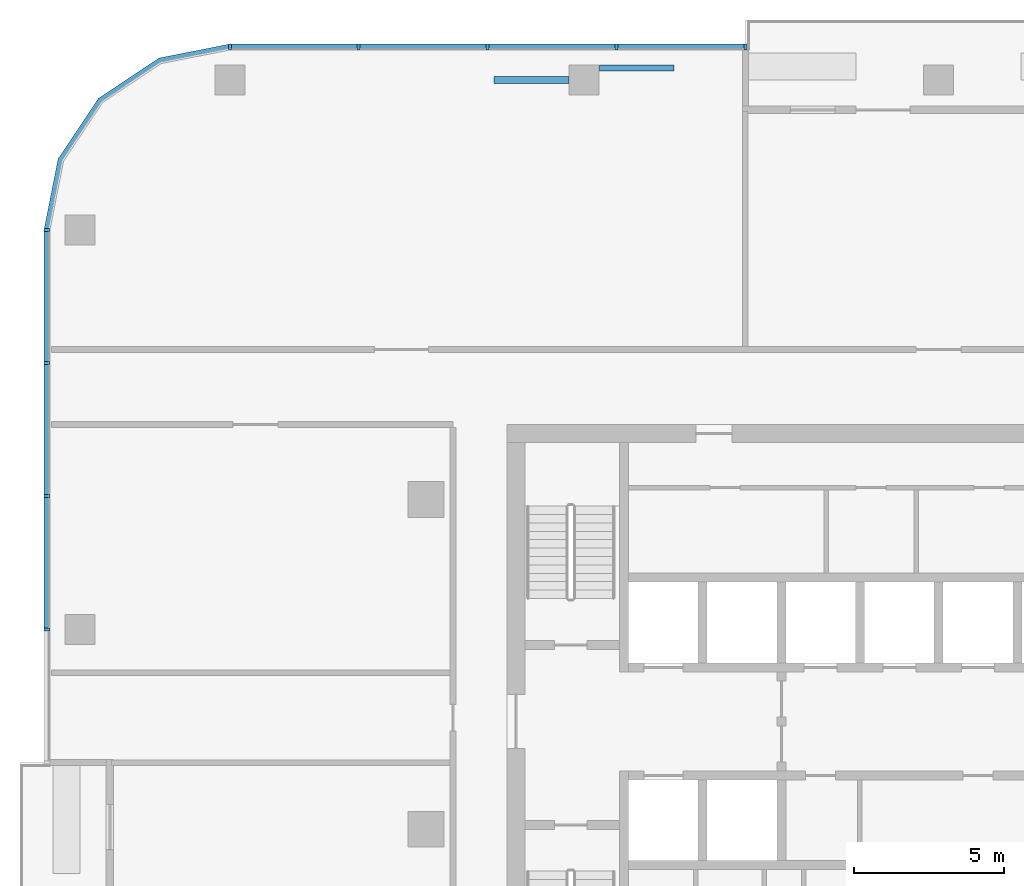
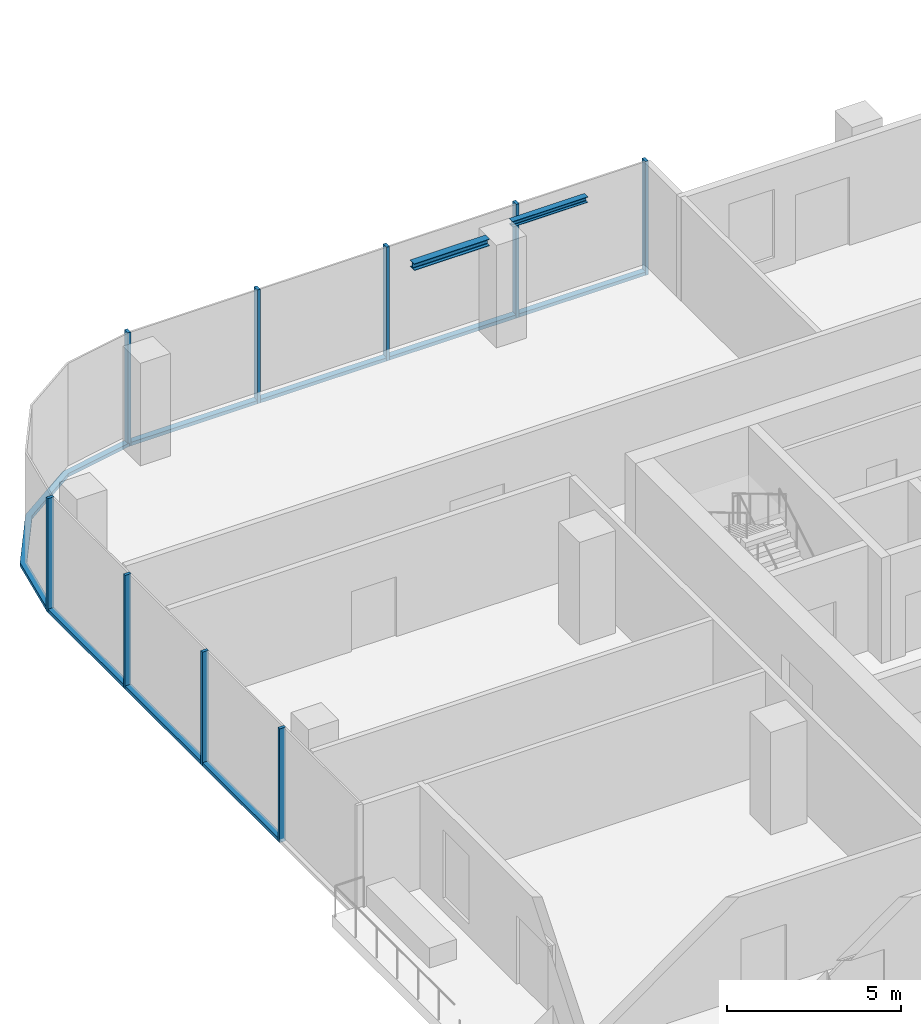
# One storey, part 4 of 13: 17 members, 2 beams, 3 elements without a shape of their own.
"""IFC4 building model written with IfcOpenShell, lengths in metres."""

from ifc_helpers import new_model, si_unit, direction, frame, origin, origin_2d, place, context, subcontext, project, spatial, polyline, rectangle, i_section, outline, extrude, material, material_profile, profile_set, type_object, element, aggregate, save


model = new_model("IFC4")

# Units and contexts
model_context = context("Model", 3, precision=1e-05, world=origin(), true_north=direction((0.0, 1.0)))
body_context = subcontext(model_context, "Body", "Model", "MODEL_VIEW")
ifc_project = project(units=[si_unit("LENGTHUNIT", "METRE"), si_unit("AREAUNIT", "SQUARE_METRE"), si_unit("VOLUMEUNIT", "CUBIC_METRE"), si_unit("PLANEANGLEUNIT", "RADIAN"), si_unit("MASSUNIT", "GRAM", prefix="KILO")], contexts=[model_context])

# Site, building, storey
site_placement = place(None, origin())
site = spatial("IfcSite", under=ifc_project, at=site_placement, CompositionType="ELEMENT")
building_placement = place(site_placement, origin())
building = spatial("IfcBuilding", under=site, at=building_placement, Name="Mopane Tessera Tower", CompositionType="ELEMENT")
storey_placement = place(building_placement, frame((0.0, 0.0, 287.39990234375)))
storey = spatial("IfcBuildingStorey", under=building, at=storey_placement, Name="L62", CompositionType="ELEMENT", Elevation=287.39990234375)

# Curtain wall, members
ifc_material_1 = material(Name="Aluminium frame", Category="aluminium")
curtain_wall_type = type_object("IfcCurtainWallType", Name="Unitised curtain wall", PredefinedType="NOTDEFINED", material=ifc_material_1)
curtain_wall_1_placement = place(storey_placement, origin())
curtain_wall_1 = element("IfcCurtainWall", 1, at=curtain_wall_1_placement, inside=storey, type_object=curtain_wall_type, Name="e:cw:L62:N:7", PredefinedType="NOTDEFINED")
ifc_material_2 = material(Name="Aluminium frame", Category="aluminium")
ifc_material_profile_1 = material_profile(ifc_material_2, rectangle(XDim=0.10009765625, YDim=0.199951171875, at=origin_2d()))
ifc_profile_set_1 = profile_set([ifc_material_profile_1], Name="Aluminium frame")
member_type_1 = type_object("IfcMemberType", Name="Aluminium mullion 100 x 200", PredefinedType="MULLION", material=ifc_profile_set_1)
member_1_placement = place(storey_placement, frame((-6.449951171875, 26.10009765625, -0.39990234375), z_axis=(0.0, 0.0, 1.0), x_axis=(-1.0, 0.0, 0.0)))
member_1 = element("IfcMember", 2, at=member_1_placement, type_object=member_type_1, Name="e:cw:L62:N:7:mu7", PredefinedType="MULLION", context=body_context, shape_type="SweptSolid", body=[
    extrude(rectangle(XDim=0.10009765625, YDim=0.199951171875, at=origin_2d()), origin(), (0.0, 0.0, 1.0), 4.0),
])
member_2_placement = place(storey_placement, frame((-10.75, 26.10009765625, -0.39990234375), z_axis=(0.0, 0.0, 1.0), x_axis=(-1.0, 0.0, 0.0)))
member_2 = element("IfcMember", 3, at=member_2_placement, type_object=member_type_1, Name="e:cw:L62:N:7:mu8", PredefinedType="MULLION", context=body_context, shape_type="SweptSolid", body=[
    extrude(rectangle(XDim=0.10009765625, YDim=0.199951171875, at=origin_2d()), origin(), (0.0, 0.0, 1.0), 4.0),
])
member_3_placement = place(storey_placement, frame((-15.050048828125, 26.10009765625, -0.39990234375), z_axis=(0.0, 0.0, 1.0), x_axis=(-1.0, 0.0, 0.0)))
member_3 = element("IfcMember", 4, at=member_3_placement, type_object=member_type_1, Name="e:cw:L62:N:7:mu9", PredefinedType="MULLION", context=body_context, shape_type="SweptSolid", body=[
    extrude(rectangle(XDim=0.10009765625, YDim=0.199951171875, at=origin_2d()), origin(), (0.0, 0.0, 1.0), 4.0),
])
member_4_placement = place(storey_placement, frame((-19.35009765625, 26.10009765625, -0.39990234375), z_axis=(0.0, 0.0, 1.0), x_axis=(-1.0, 0.0, 0.0)))
member_4 = element("IfcMember", 5, at=member_4_placement, type_object=member_type_1, Name="e:cw:L62:N:7:mu10", PredefinedType="MULLION", context=body_context, shape_type="SweptSolid", body=[
    extrude(rectangle(XDim=0.10009765625, YDim=0.199951171875, at=origin_2d()), origin(), (0.0, 0.0, 1.0), 4.0),
])
member_5_placement = place(storey_placement, frame((-23.64990234375, 26.10009765625, -0.39990234375), z_axis=(0.0, 0.0, 1.0), x_axis=(-1.0, 0.0, 0.0)))
member_5 = element("IfcMember", 6, at=member_5_placement, type_object=member_type_1, Name="e:cw:L62:N:7:mu11", PredefinedType="MULLION", context=body_context, shape_type="SweptSolid", body=[
    extrude(rectangle(XDim=0.10009765625, YDim=0.199951171875, at=origin_2d()), origin(), (0.0, 0.0, 1.0), 4.0),
])

curtain_wall_2_placement = place(storey_placement, origin())
curtain_wall_2 = element("IfcCurtainWall", 7, at=curtain_wall_2_placement, inside=storey, type_object=curtain_wall_type, Name="e:cw:L62:W:0", PredefinedType="NOTDEFINED")
member_6_placement = place(storey_placement, frame((-29.75, 20.0, -0.39990234375), z_axis=(0.0, 0.0, 1.0), x_axis=(0.0, -1.0, 0.0)))
member_6 = element("IfcMember", 8, at=member_6_placement, type_object=member_type_1, Name="e:cw:L62:W:0:mu0", PredefinedType="MULLION", context=body_context, shape_type="SweptSolid", body=[
    extrude(rectangle(XDim=0.10009765625, YDim=0.199951171875, at=origin_2d()), origin(), (0.0, 0.0, 1.0), 4.0),
])
member_7_placement = place(storey_placement, frame((-29.75, 15.5556640625, -0.39990234375), z_axis=(0.0, 0.0, 1.0), x_axis=(0.0, -1.0, 0.0)))
member_7 = element("IfcMember", 9, at=member_7_placement, type_object=member_type_1, Name="e:cw:L62:W:0:mu1", PredefinedType="MULLION", context=body_context, shape_type="SweptSolid", body=[
    extrude(rectangle(XDim=0.10009765625, YDim=0.199951171875, at=origin_2d()), origin(), (0.0, 0.0, 1.0), 4.0),
])
member_8_placement = place(storey_placement, frame((-29.75, 11.111083984375, -0.39990234375), z_axis=(0.0, 0.0, 1.0), x_axis=(0.0, -1.0, 0.0)))
member_8 = element("IfcMember", 10, at=member_8_placement, type_object=member_type_1, Name="e:cw:L62:W:0:mu2", PredefinedType="MULLION", context=body_context, shape_type="SweptSolid", body=[
    extrude(rectangle(XDim=0.10009765625, YDim=0.199951171875, at=origin_2d()), origin(), (0.0, 0.0, 1.0), 4.0),
])
member_9_placement = place(storey_placement, frame((-29.75, 6.666748046875, -0.39990234375), z_axis=(0.0, 0.0, 1.0), x_axis=(0.0, -1.0, 0.0)))
member_9 = element("IfcMember", 11, at=member_9_placement, type_object=member_type_1, Name="e:cw:L62:W:0:mu3", PredefinedType="MULLION", context=body_context, shape_type="SweptSolid", body=[
    extrude(rectangle(XDim=0.10009765625, YDim=0.199951171875, at=origin_2d()), origin(), (0.0, 0.0, 1.0), 4.0),
])

# Member
ifc_material_3 = material(Name="Aluminium frame", Category="aluminium")
ifc_material_profile_2 = material_profile(ifc_material_3, rectangle(XDim=0.199951171875, YDim=0.1201171875, at=origin_2d()))
ifc_profile_set_2 = profile_set([ifc_material_profile_2], Name="Aluminium frame")
member_type_2 = type_object("IfcMemberType", Name="Aluminium transom 200 x 120", PredefinedType="USERDEFINED", material=ifc_profile_set_2)
member_10_placement = place(storey_placement, frame((-6.5, 26.10009765625, -0.33984375), z_axis=(-1.0, 0.0, 0.0), x_axis=(0.0, -1.0, 0.0)))
member_10 = element("IfcMember", 12, at=member_10_placement, type_object=member_type_2, Name="e:cw:L62:N:7:tr7", ObjectType="TRANSOM", PredefinedType="USERDEFINED", context=body_context, shape_type="SweptSolid", body=[
    extrude(rectangle(XDim=0.199951171875, YDim=0.1201171875, at=origin_2d()), origin(), (0.0, 0.0, 1.0), 4.199951171875),
])

member_11_placement = place(storey_placement, frame((-10.800048828125, 26.10009765625, -0.33984375), z_axis=(-1.0, 0.0, 0.0), x_axis=(0.0, -1.0, 0.0)))
member_11 = element("IfcMember", 13, at=member_11_placement, type_object=member_type_2, Name="e:cw:L62:N:7:tr8", ObjectType="TRANSOM", PredefinedType="USERDEFINED", context=body_context, shape_type="SweptSolid", body=[
    extrude(rectangle(XDim=0.199951171875, YDim=0.1201171875, at=origin_2d()), origin(), (0.0, 0.0, 1.0), 4.199951171875),
])

member_12_placement = place(storey_placement, frame((-15.10009765625, 26.10009765625, -0.33984375), z_axis=(-1.0, 0.0, 0.0), x_axis=(0.0, -1.0, 0.0)))
member_12 = element("IfcMember", 14, at=member_12_placement, type_object=member_type_2, Name="e:cw:L62:N:7:tr9", ObjectType="TRANSOM", PredefinedType="USERDEFINED", context=body_context, shape_type="SweptSolid", body=[
    extrude(rectangle(XDim=0.199951171875, YDim=0.1201171875, at=origin_2d()), origin(), (0.0, 0.0, 1.0), 4.199951171875),
])

member_13_placement = place(storey_placement, frame((-19.39990234375, 26.10009765625, -0.33984375), z_axis=(-1.0, 0.0, 0.0), x_axis=(0.0, -1.0, 0.0)))
member_13 = element("IfcMember", 15, at=member_13_placement, type_object=member_type_2, Name="e:cw:L62:N:7:tr10", ObjectType="TRANSOM", PredefinedType="USERDEFINED", context=body_context, shape_type="SweptSolid", body=[
    extrude(rectangle(XDim=0.199951171875, YDim=0.1201171875, at=origin_2d()), origin(), (0.0, 0.0, 1.0), 4.2001953125),
])

aggregate(curtain_wall_1, [member_1, member_2, member_3, member_4, member_5, member_10, member_11, member_12, member_13])

# Curtain wall, member
curtain_wall_3_placement = place(storey_placement, origin())
curtain_wall_3 = element("IfcCurtainWall", 16, at=curtain_wall_3_placement, inside=storey, type_object=curtain_wall_type, Name="e:cw:L62:CN", PredefinedType="NOTDEFINED")
member_14_placement = place(storey_placement, frame((0.0, 0.0, -0.39990234375)))
member_14 = element("IfcMember", 17, at=member_14_placement, type_object=member_type_2, Name="e:cw:L62:CN:tr", ObjectType="TRANSOM", PredefinedType="USERDEFINED", context=body_context, shape_type="SweptSolid", body=[
    extrude(outline(polyline([(-23.64990234375, 26.0), (-25.946044921875, 25.543212890625), (-27.892578125, 24.24267578125), (-29.193359375, 22.296142578125), (-29.64990234375, 20.0), (-29.85009765625, 20.0), (-29.378173828125, 22.37255859375), (-28.0341796875, 24.384033203125), (-26.022705078125, 25.72802734375), (-23.64990234375, 26.199951171875), (-23.64990234375, 26.0)])), origin(), (0.0, 0.0, 1.0), 0.1201171875),
])
aggregate(curtain_wall_3, [member_14])

# Member
member_15_placement = place(storey_placement, frame((-29.75, 19.949951171875, -0.33984375), z_axis=(0.0, -1.0, 0.0), x_axis=(1.0, 0.0, 0.0)))
member_15 = element("IfcMember", 18, at=member_15_placement, type_object=member_type_2, Name="e:cw:L62:W:0:tr0", ObjectType="TRANSOM", PredefinedType="USERDEFINED", context=body_context, shape_type="SweptSolid", body=[
    extrude(rectangle(XDim=0.199951171875, YDim=0.1201171875, at=origin_2d()), origin(), (0.0, 0.0, 1.0), 4.344482421875),
])

member_16_placement = place(storey_placement, frame((-29.75, 15.505615234375, -0.33984375), z_axis=(0.0, -1.0, 0.0), x_axis=(1.0, 0.0, 0.0)))
member_16 = element("IfcMember", 19, at=member_16_placement, type_object=member_type_2, Name="e:cw:L62:W:0:tr1", ObjectType="TRANSOM", PredefinedType="USERDEFINED", context=body_context, shape_type="SweptSolid", body=[
    extrude(rectangle(XDim=0.199951171875, YDim=0.1201171875, at=origin_2d()), origin(), (0.0, 0.0, 1.0), 4.344482421875),
])

member_17_placement = place(storey_placement, frame((-29.75, 11.06103515625, -0.33984375), z_axis=(0.0, -1.0, 0.0), x_axis=(1.0, 0.0, 0.0)))
member_17 = element("IfcMember", 20, at=member_17_placement, type_object=member_type_2, Name="e:cw:L62:W:0:tr2", ObjectType="TRANSOM", PredefinedType="USERDEFINED", context=body_context, shape_type="SweptSolid", body=[
    extrude(rectangle(XDim=0.199951171875, YDim=0.1201171875, at=origin_2d()), origin(), (0.0, 0.0, 1.0), 4.344482421875),
])

aggregate(curtain_wall_2, [member_6, member_7, member_8, member_9, member_15, member_16, member_17])

# Beams
ifc_material_4 = material(Name="Structural steel S460", Category="steel")
ifc_material_profile_3 = material_profile(ifc_material_4, i_section(OverallWidth=0.239990234375, OverallDepth=0.239990234375, WebThickness=0.010009765625, FlangeThickness=0.01708984375, FilletRadius=0.02099609375, at=origin_2d()))
ifc_profile_set_3 = profile_set([ifc_material_profile_3], Name="Structural steel S460")
beam_type_1 = type_object("IfcBeamType", Name="Terrace spandrel beam HE 240 B", PredefinedType="SPANDREL", material=ifc_profile_set_3)
beam_1_placement = place(storey_placement, frame((-12.327880859375, 25.0, 3.47998046875), z_axis=(-1.0, 0.0, 0.0), x_axis=(0.0, -1.0, 0.0)))
element("IfcBeam", 21, at=beam_1_placement, inside=storey, type_object=beam_type_1, Name="Terrace spandrel beam N2 L63", PredefinedType="SPANDREL", context=body_context, shape_type="SweptSolid", body=[
    extrude(i_section(OverallWidth=0.239990234375, OverallDepth=0.239990234375, WebThickness=0.010009765625, FlangeThickness=0.01708984375, FilletRadius=0.02099609375, at=origin_2d()), origin(), (0.0, 0.0, 1.0), 2.5),
])
ifc_material_5 = material(Name="Structural steel S460", Category="steel")
ifc_material_profile_4 = material_profile(ifc_material_5, i_section(OverallWidth=0.199951171875, OverallDepth=0.199951171875, WebThickness=0.009033203125, FlangeThickness=0.014892578125, FilletRadius=0.01806640625, at=origin_2d()))
ifc_profile_set_4 = profile_set([ifc_material_profile_4], Name="Structural steel S460")
beam_type_2 = type_object("IfcBeamType", Name="Terrace trimmer beam HE 200 B", PredefinedType="BEAM", material=ifc_profile_set_4)
beam_2_placement = place(storey_placement, frame((-11.322021484375, 25.39990234375, 3.5), z_axis=(1.0, 0.0, 0.0), x_axis=(0.0, 1.0, 0.0)))
element("IfcBeam", 22, at=beam_2_placement, inside=storey, type_object=beam_type_2, Name="Terrace trimmer beam N2 L63", PredefinedType="BEAM", context=body_context, shape_type="SweptSolid", body=[
    extrude(i_section(OverallWidth=0.199951171875, OverallDepth=0.199951171875, WebThickness=0.009033203125, FlangeThickness=0.014892578125, FilletRadius=0.01806640625, at=origin_2d()), origin(), (0.0, 0.0, 1.0), 2.5),
])

save(model, "model.ifc")
